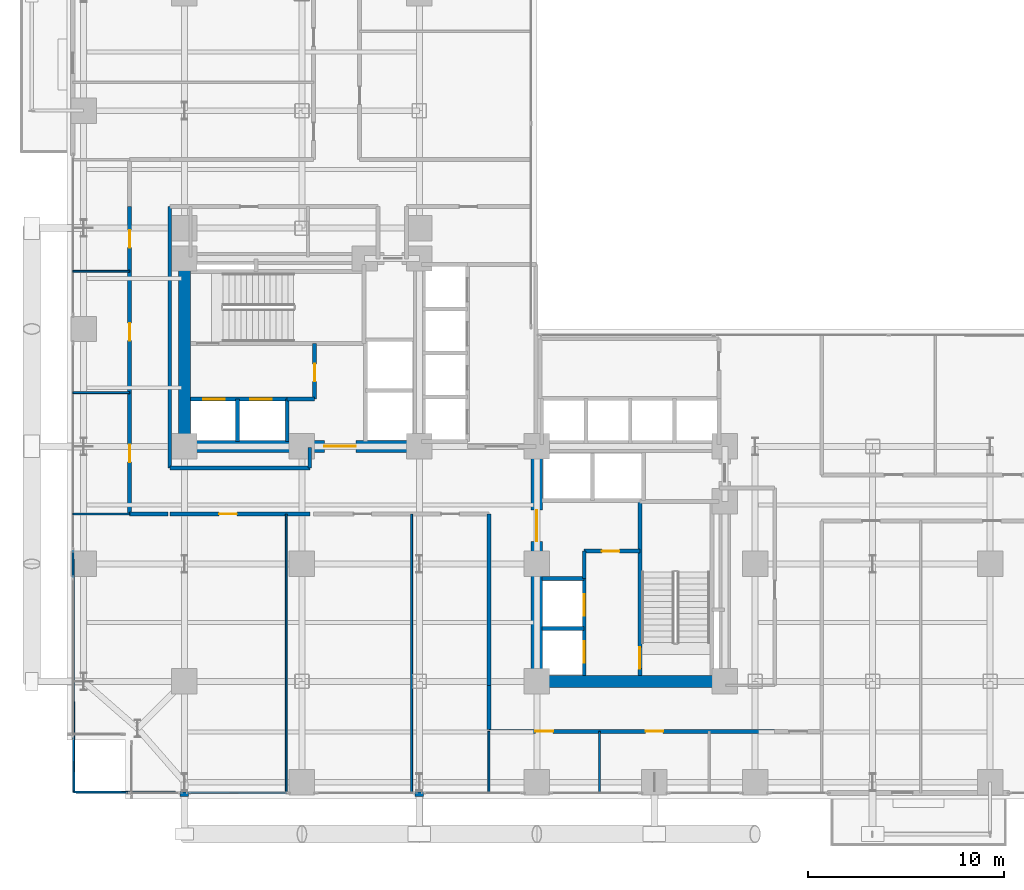
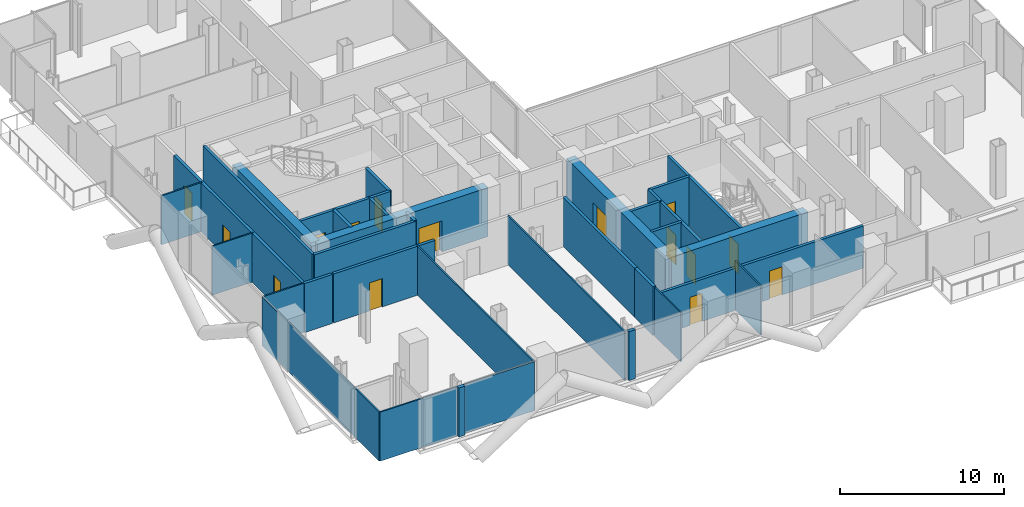
# One storey, part 21 of 27: 36 walls, 15 doors, 15 openings.
"""IFC4 building model written with IfcOpenShell, lengths in metres."""

from ifc_helpers import new_model, si_unit, direction, frame, frame_2d, origin, place, context, subcontext, project, spatial, rectangle, extrude, material, layer, layer_set, type_object, element, fill, save


model = new_model("IFC4")

# Units and contexts
model_context = context("Model", 3, precision=1e-05, world=origin(), true_north=direction((0.0, 1.0)))
body_context = subcontext(model_context, "Body", "Model", "MODEL_VIEW")
ifc_project = project(units=[si_unit("LENGTHUNIT", "METRE"), si_unit("AREAUNIT", "SQUARE_METRE"), si_unit("VOLUMEUNIT", "CUBIC_METRE"), si_unit("PLANEANGLEUNIT", "RADIAN"), si_unit("MASSUNIT", "GRAM", prefix="KILO"), si_unit("THERMODYNAMICTEMPERATUREUNIT", "KELVIN"), si_unit("POWERUNIT", "WATT")], contexts=[model_context])

# Site, building, storey
site_placement = place(None, origin())
site = spatial("IfcSite", under=ifc_project, at=site_placement, CompositionType="ELEMENT")
building_placement = place(site_placement, origin())
building = spatial("IfcBuilding", under=site, at=building_placement, Name="Svarakhadi Broadcast Tower", CompositionType="ELEMENT")
storey_placement = place(building_placement, frame((0.0, 0.0, 87.0)))
storey = spatial("IfcBuildingStorey", under=building, at=storey_placement, Name="L20", CompositionType="ELEMENT", Elevation=87.0)

# Walls
ifc_material_1 = material(Name="Concrete C40/50 (IS 456 M50)", Category="concrete")
ifc_layer_1 = layer(ifc_material_1, 0.239990234375)
ifc_layer_set_1 = layer_set([ifc_layer_1], Name="Concrete C40/50 (IS 456 M50)")
wall_type_1 = type_object("IfcWallType", Name="Wall_Ext_240", PredefinedType="SOLIDWALL", material=ifc_layer_set_1)
for number, where, z_axis, x_axis, name in (
    (1, (18.215087890625, 0.239990234375, 0.0), (0.0, 0.0, 1.0), (-1.0, 0.0, 0.0), "L20 Perimeter Bronze Spandrel Closure Wall 05"),
    (2, (6.215087890625, 0.239990234375, 0.0), (0.0, 0.0, 1.0), (-1.0, 0.0, 0.0), "L20 Perimeter Bronze Spandrel Closure Wall 06"),
):
    element("IfcWall", number, at=place(storey_placement, frame(where, z_axis=z_axis, x_axis=x_axis)), inside=storey, type_object=wall_type_1, Name=name, PredefinedType="SOLIDWALL", context=body_context, shape_type="SweptSolid", body=[
        extrude(rectangle(XDim=0.43017578125, YDim=0.239990234375, at=frame_2d((0.215087890625, 0.0))), origin(), (0.0, 0.0, 1.0), 3.64990234375),
    ])

# Wall, openings, doors
ifc_layer_2 = layer(ifc_material_1, 0.199951171875)
ifc_layer_set_2 = layer_set([ifc_layer_2], Name="Concrete C40/50 (IS 456 M50)")
wall_type_2 = type_object("IfcWallType", Name="Wall_Fire_200", PredefinedType="SOLIDWALL", material=ifc_layer_set_2)
wall_1_placement = place(storey_placement, frame((36.14990234375, 3.449951171875, 0.0), z_axis=(0.0, 0.0, 1.0), x_axis=(-1.0, 0.0, 0.0)))
wall_1 = element("IfcWall", 3, at=wall_1_placement, inside=storey, type_object=wall_type_2, Name="L20 Broadcast Corridor Wall", PredefinedType="SOLIDWALL", context=body_context, shape_type="SweptSolid", body=[
    extrude(rectangle(XDim=14.599853515625, YDim=0.199951171875, at=frame_2d((7.2998046875, 0.0))), origin(), (0.0, 0.0, 1.0), 3.14208984375),
])
opening_1_placement = place(wall_1_placement, frame((11.324951171875, 0.0, 0.0)))
opening_1 = element("IfcOpeningElement", 4, at=opening_1_placement, cuts=wall_1, Name="Opening D-14", PredefinedType="OPENING", context=body_context, shape_type="SweptSolid", body=[
    extrude(rectangle(XDim=0.89990234375, YDim=2.10009765625, at=frame_2d((0.449951171875, 1.050048828125))), frame((0.0, 0.10986328125, 0.0), z_axis=(0.0, -1.0, 0.0), x_axis=(1.0, 0.0, 0.0)), (0.0, 0.0, 1.0), 0.219970703125),
])
opening_2_placement = place(wall_1_placement, frame((5.699951171875, 0.0, 0.0)))
opening_2 = element("IfcOpeningElement", 5, at=opening_2_placement, cuts=wall_1, Name="Opening D-15", PredefinedType="OPENING", context=body_context, shape_type="SweptSolid", body=[
    extrude(rectangle(XDim=0.89990234375, YDim=2.10009765625, at=frame_2d((0.449951171875, 1.050048828125))), frame((0.0, 0.10986328125, 0.0), z_axis=(0.0, -1.0, 0.0), x_axis=(1.0, 0.0, 0.0)), (0.0, 0.0, 1.0), 0.219970703125),
])
ifc_material_2 = material(Name="Solid-Core Teak Veneer Acoustic Timber Leaf", Category="wood")
door_type_1 = type_object("IfcDoorType", Name="Door_Int_D14", OperationType="SINGLE_SWING_LEFT", PredefinedType="DOOR", material=ifc_material_2)
door_1_placement = place(opening_1_placement, origin())
door_1 = element("IfcDoor", 6, at=door_1_placement, inside=storey, type_object=door_type_1, Name="L20 South Harbour Editorial Desk Door", OperationType="SINGLE_SWING_LEFT", OverallHeight=2.10009765625, OverallWidth=0.89990234375, PredefinedType="DOOR", context=body_context, shape_type="SweptSolid", body=[
    extrude(rectangle(XDim=0.89990234375, YDim=2.10009765625, at=frame_2d((0.449951171875, 1.050048828125))), frame((0.0, 0.02490234375, 0.0), z_axis=(0.0, -1.0, 0.0), x_axis=(1.0, 0.0, 0.0)), (0.0, 0.0, 1.0), 0.050048828125),
])
fill(opening_1, door_1)
door_type_2 = type_object("IfcDoorType", Name="Door_Int_D15", OperationType="SINGLE_SWING_RIGHT", PredefinedType="DOOR", material=ifc_material_2)
door_2_placement = place(opening_2_placement, origin())
door_2 = element("IfcDoor", 7, at=door_2_placement, inside=storey, type_object=door_type_2, Name="L20 Media Legal Review Office Door", OperationType="SINGLE_SWING_RIGHT", OverallHeight=2.10009765625, OverallWidth=0.89990234375, PredefinedType="DOOR", context=body_context, shape_type="SweptSolid", body=[
    extrude(rectangle(XDim=0.89990234375, YDim=2.10009765625, at=frame_2d((0.449951171875, 1.050048828125))), frame((0.0, 0.02490234375, 0.0), z_axis=(0.0, -1.0, 0.0), x_axis=(1.0, 0.0, 0.0)), (0.0, 0.0, 1.0), 0.050048828125),
])
fill(opening_2, door_2)

# Walls
wall_2_placement = place(storey_placement, frame((21.550048828125, 3.550048828125, 0.0), z_axis=(0.0, 0.0, 1.0), x_axis=(0.0, 1.0, 0.0)))
element("IfcWall", 8, at=wall_2_placement, inside=storey, type_object=wall_type_2, Name="L20 Broadcast Corridor Wall", PredefinedType="SOLIDWALL", context=body_context, shape_type="SweptSolid", body=[
    extrude(rectangle(XDim=2.25, YDim=0.199951171875, at=frame_2d((1.125, 0.0))), origin(), (0.0, 0.0, 1.0), 3.64990234375),
])
wall_3_placement = place(storey_placement, frame((21.550048828125, 5.800048828125, 0.0), z_axis=(0.0, 0.0, 1.0), x_axis=(0.0, 1.0, 0.0)))
element("IfcWall", 9, at=wall_3_placement, inside=storey, type_object=wall_type_2, Name="L20 Broadcast Corridor Wall", PredefinedType="SOLIDWALL", context=body_context, shape_type="SweptSolid", body=[
    extrude(rectangle(XDim=8.75, YDim=0.199951171875, at=frame_2d((4.375, 0.0))), origin(), (0.0, 0.0, 1.0), 3.64990234375),
])

# Wall, opening, door
wall_4_placement = place(storey_placement, frame((12.39990234375, 14.550048828125, 0.0), z_axis=(0.0, 0.0, 1.0), x_axis=(-1.0, 0.0, 0.0)))
wall_4 = element("IfcWall", 10, at=wall_4_placement, inside=storey, type_object=wall_type_2, Name="L20 Broadcast Corridor Wall", PredefinedType="SOLIDWALL", context=body_context, shape_type="SweptSolid", body=[
    extrude(rectangle(XDim=7.14990234375, YDim=0.199951171875, at=frame_2d((3.574951171875, 0.0))), origin(), (0.0, 0.0, 1.0), 3.64990234375),
])
opening_3_placement = place(wall_4_placement, frame((3.72509765625, 0.0, 0.0)))
opening_3 = element("IfcOpeningElement", 11, at=opening_3_placement, cuts=wall_4, Name="Opening D-14", PredefinedType="OPENING", context=body_context, shape_type="SweptSolid", body=[
    extrude(rectangle(XDim=0.89990234375, YDim=2.10009765625, at=frame_2d((0.449951171875, 1.050048828125))), frame((0.0, 0.10986328125, 0.0), z_axis=(0.0, -1.0, 0.0), x_axis=(1.0, 0.0, 0.0)), (0.0, 0.0, 1.0), 0.219970703125),
])
door_3_placement = place(opening_3_placement, origin())
door_3 = element("IfcDoor", 12, at=door_3_placement, inside=storey, type_object=door_type_1, Name="L20 Network Director Corner Chambers Door", OperationType="SINGLE_SWING_LEFT", OverallHeight=2.10009765625, OverallWidth=0.89990234375, PredefinedType="DOOR", context=body_context, shape_type="SweptSolid", body=[
    extrude(rectangle(XDim=0.89990234375, YDim=2.10009765625, at=frame_2d((0.449951171875, 1.050048828125))), frame((0.0, 0.02490234375, 0.0), z_axis=(0.0, -1.0, 0.0), x_axis=(1.0, 0.0, 0.0)), (0.0, 0.0, 1.0), 0.050048828125),
])
fill(opening_3, door_3)

# Wall
wall_5_placement = place(storey_placement, frame((5.14990234375, 14.550048828125, 0.0), z_axis=(0.0, 0.0, 1.0), x_axis=(-1.0, 0.0, 0.0)))
element("IfcWall", 13, at=wall_5_placement, inside=storey, type_object=wall_type_2, Name="L20 Broadcast Corridor Wall", PredefinedType="SOLIDWALL", context=body_context, shape_type="SweptSolid", body=[
    extrude(rectangle(XDim=1.949951171875, YDim=0.199951171875, at=frame_2d((0.97509765625, 0.0))), origin(), (0.0, 0.0, 1.0), 3.64990234375),
])

# Wall, openings, doors
wall_6_placement = place(storey_placement, frame((3.199951171875, 14.550048828125, 0.0), z_axis=(0.0, 0.0, 1.0), x_axis=(0.0, 1.0, 0.0)))
wall_6 = element("IfcWall", 14, at=wall_6_placement, inside=storey, type_object=wall_type_2, Name="L20 Broadcast Corridor Wall", PredefinedType="SOLIDWALL", context=body_context, shape_type="SweptSolid", body=[
    extrude(rectangle(XDim=15.699951171875, YDim=0.199951171875, at=frame_2d((7.85009765625, 0.0))), origin(), (0.0, 0.0, 1.0), 3.64990234375),
])
opening_4_placement = place(wall_6_placement, frame((2.64990234375, 0.0, 0.0)))
opening_4 = element("IfcOpeningElement", 15, at=opening_4_placement, cuts=wall_6, Name="Opening D-15", PredefinedType="OPENING", context=body_context, shape_type="SweptSolid", body=[
    extrude(rectangle(XDim=0.89990234375, YDim=2.10009765625, at=frame_2d((0.449951171875, 1.050048828125))), frame((0.0, 0.10986328125, 0.0), z_axis=(0.0, -1.0, 0.0), x_axis=(1.0, 0.0, 0.0)), (0.0, 0.0, 1.0), 0.219970703125),
])
opening_5_placement = place(wall_6_placement, frame((8.85009765625, 0.0, 0.0)))
opening_5 = element("IfcOpeningElement", 16, at=opening_5_placement, cuts=wall_6, Name="Opening D-14", PredefinedType="OPENING", context=body_context, shape_type="SweptSolid", body=[
    extrude(rectangle(XDim=0.89990234375, YDim=2.10009765625, at=frame_2d((0.449951171875, 1.050048828125))), frame((0.0, 0.10986328125, 0.0), z_axis=(0.0, -1.0, 0.0), x_axis=(1.0, 0.0, 0.0)), (0.0, 0.0, 1.0), 0.219970703125),
])
opening_6_placement = place(wall_6_placement, frame((13.60009765625, 0.0, 0.0)))
opening_6 = element("IfcOpeningElement", 17, at=opening_6_placement, cuts=wall_6, Name="Opening D-15", PredefinedType="OPENING", context=body_context, shape_type="SweptSolid", body=[
    extrude(rectangle(XDim=0.89990234375, YDim=2.10009765625, at=frame_2d((0.449951171875, 1.050048828125))), frame((0.0, 0.10986328125, 0.0), z_axis=(0.0, -1.0, 0.0), x_axis=(1.0, 0.0, 0.0)), (0.0, 0.0, 1.0), 0.219970703125),
])
door_4_placement = place(opening_5_placement, origin())
door_4 = element("IfcDoor", 18, at=door_4_placement, inside=storey, type_object=door_type_1, Name="L20 Live Translation Studio Door", OperationType="SINGLE_SWING_LEFT", OverallHeight=2.10009765625, OverallWidth=0.89990234375, PredefinedType="DOOR", context=body_context, shape_type="SweptSolid", body=[
    extrude(rectangle(XDim=0.89990234375, YDim=2.10009765625, at=frame_2d((0.449951171875, 1.050048828125))), frame((0.0, 0.02490234375, 0.0), z_axis=(0.0, -1.0, 0.0), x_axis=(1.0, 0.0, 0.0)), (0.0, 0.0, 1.0), 0.050048828125),
])
fill(opening_5, door_4)
door_5_placement = place(opening_4_placement, origin())
door_5 = element("IfcDoor", 19, at=door_5_placement, inside=storey, type_object=door_type_2, Name="L20 Arabian Sea Commentary Booth Door", OperationType="SINGLE_SWING_RIGHT", OverallHeight=2.10009765625, OverallWidth=0.89990234375, PredefinedType="DOOR", context=body_context, shape_type="SweptSolid", body=[
    extrude(rectangle(XDim=0.89990234375, YDim=2.10009765625, at=frame_2d((0.449951171875, 1.050048828125))), frame((0.0, 0.02490234375, 0.0), z_axis=(0.0, -1.0, 0.0), x_axis=(1.0, 0.0, 0.0)), (0.0, 0.0, 1.0), 0.050048828125),
])
fill(opening_4, door_5)
door_6_placement = place(opening_6_placement, origin())
door_6 = element("IfcDoor", 20, at=door_6_placement, inside=storey, type_object=door_type_2, Name="L20 Producer Quiet Lounge Door", OperationType="SINGLE_SWING_RIGHT", OverallHeight=2.10009765625, OverallWidth=0.89990234375, PredefinedType="DOOR", context=body_context, shape_type="SweptSolid", body=[
    extrude(rectangle(XDim=0.89990234375, YDim=2.10009765625, at=frame_2d((0.449951171875, 1.050048828125))), frame((0.0, 0.02490234375, 0.0), z_axis=(0.0, -1.0, 0.0), x_axis=(1.0, 0.0, 0.0)), (0.0, 0.0, 1.0), 0.050048828125),
])
fill(opening_6, door_6)

# Walls
wall_7_placement = place(storey_placement, frame((5.25, 30.25, 0.0), z_axis=(0.0, 0.0, 1.0), x_axis=(0.0, -1.0, 0.0)))
element("IfcWall", 21, at=wall_7_placement, inside=storey, type_object=wall_type_2, Name="L20 Broadcast Corridor Wall", PredefinedType="SOLIDWALL", context=body_context, shape_type="SweptSolid", body=[
    extrude(rectangle(XDim=13.35009765625, YDim=0.199951171875, at=frame_2d((6.675048828125, 0.0))), origin(), (0.0, 0.0, 1.0), 3.64990234375),
])
wall_8_placement = place(storey_placement, frame((5.25, 16.89990234375, 0.0), z_axis=(0.0, 0.0, 1.0), x_axis=(1.0, 0.0, 0.0)))
element("IfcWall", 22, at=wall_8_placement, inside=storey, type_object=wall_type_2, Name="L20 Broadcast Corridor Wall", PredefinedType="SOLIDWALL", context=body_context, shape_type="SweptSolid", body=[
    extrude(rectangle(XDim=7.14990234375, YDim=0.199951171875, at=frame_2d((3.574951171875, 0.0))), origin(), (0.0, 0.0, 1.0), 3.64990234375),
])
wall_9_placement = place(storey_placement, frame((12.39990234375, 16.89990234375, 0.0), z_axis=(0.0, 0.0, 1.0), x_axis=(0.0, 1.0, 0.0)))
element("IfcWall", 23, at=wall_9_placement, inside=storey, type_object=wall_type_2, Name="L20 Broadcast Corridor Wall", PredefinedType="SOLIDWALL", context=body_context, shape_type="SweptSolid", body=[
    extrude(rectangle(XDim=1.050048828125, YDim=0.199951171875, at=frame_2d((0.52490234375, 0.0))), origin(), (0.0, 0.0, 1.0), 3.64990234375),
])
ifc_material_3 = material(Name="Fire-Rated Moisture-Resistant Gypsum Board Partition", Category="gypsum")
ifc_layer_3 = layer(ifc_material_3, 0.10009765625)
ifc_layer_set_3 = layer_set([ifc_layer_3], Name="Fire-Rated Moisture-Resistant Gypsum Board Partition")
wall_type_3 = type_object("IfcWallType", Name="Wall_Part_100", PredefinedType="PARTITIONING", material=ifc_layer_set_3)
wall_10_placement = place(storey_placement, frame((0.35009765625, 0.35009765625, 0.0), z_axis=(0.0, 0.0, 1.0), x_axis=(0.99998929595, -0.004626876487, 0.0)))
element("IfcWall", 24, at=wall_10_placement, inside=storey, type_object=wall_type_3, Name="L20 Network Director Corner Chambers Wall", PredefinedType="PARTITIONING", context=body_context, shape_type="SweptSolid", body=[
    extrude(rectangle(XDim=5.434814453125, YDim=0.10009765625, at=frame_2d((2.71728515625, 0.0))), origin(), (0.0, 0.0, 1.0), 3.64990234375),
])
wall_11_placement = place(storey_placement, frame((6.215087890625, 0.322998046875, 0.0), z_axis=(0.0, 0.0, 1.0), x_axis=(0.999989402769, -0.00460373219, 0.0)))
element("IfcWall", 25, at=wall_11_placement, inside=storey, type_object=wall_type_3, Name="L20 Network Director Corner Chambers Wall", PredefinedType="PARTITIONING", context=body_context, shape_type="SweptSolid", body=[
    extrude(rectangle(XDim=4.98486328125, YDim=0.10009765625, at=frame_2d((2.492431640625, 0.0))), origin(), (0.0, 0.0, 1.0), 3.64990234375),
])
wall_12_placement = place(storey_placement, frame((0.35009765625, 0.35009765625, 0.0), z_axis=(0.0, 0.0, 1.0), x_axis=(-0.003524555588, 0.999993788735, 0.0)))
element("IfcWall", 26, at=wall_12_placement, inside=storey, type_object=wall_type_3, Name="L20 Network Director Corner Chambers Wall", PredefinedType="PARTITIONING", context=body_context, shape_type="SweptSolid", body=[
    extrude(rectangle(XDim=14.199951171875, YDim=0.10009765625, at=frame_2d((7.10009765625, 0.0))), origin(), (0.0, 0.0, 1.0), 3.64990234375),
])
for number, where, z_axis, x_axis, name in (
    (27, (11.199951171875, 0.300048828125, 0.0), (0.0, 0.0, 1.0), (0.0, 1.0, 0.0), "L20 Network Director Corner Chambers Wall"),
    (28, (17.60009765625, 0.300048828125, 0.0), (0.0, 0.0, 1.0), (0.0, 1.0, 0.0), "L20 Standards and Practices Boardroom Wall"),
):
    element("IfcWall", number, at=place(storey_placement, frame(where, z_axis=z_axis, x_axis=x_axis)), inside=storey, type_object=wall_type_3, Name=name, PredefinedType="PARTITIONING", context=body_context, shape_type="SweptSolid", body=[
        extrude(rectangle(XDim=14.25, YDim=0.10009765625, at=frame_2d((7.125, 0.0))), origin(), (0.0, 0.0, 1.0), 3.64990234375),
    ])
for number, where, z_axis, x_axis, name in (
    (29, (0.300048828125, 14.550048828125, 0.0), (0.0, 0.0, 1.0), (1.0, 0.0, 0.0), "L20 Arabian Sea Commentary Booth Wall"),
    (30, (0.300048828125, 20.75, 0.0), (0.0, 0.0, 1.0), (1.0, 0.0, 0.0), "L20 Arabian Sea Commentary Booth Wall"),
    (31, (0.300048828125, 26.949951171875, 0.0), (0.0, 0.0, 1.0), (1.0, 0.0, 0.0), "L20 Live Translation Studio Wall"),
):
    element("IfcWall", number, at=place(storey_placement, frame(where, z_axis=z_axis, x_axis=x_axis)), inside=storey, type_object=wall_type_3, Name=name, PredefinedType="PARTITIONING", context=body_context, shape_type="SweptSolid", body=[
        extrude(rectangle(XDim=2.89990234375, YDim=0.10009765625, at=frame_2d((1.449951171875, 0.0))), origin(), (0.0, 0.0, 1.0), 3.64990234375),
    ])
for number, where, z_axis, x_axis, name in (
    (32, (21.550048828125, 0.300048828125, 0.0), (0.0, 0.0, 1.0), (0.0, 1.0, 0.0), "L20 South Harbour Editorial Desk Wall"),
    (33, (27.199951171875, 0.300048828125, 0.0), (0.0, 0.0, 1.0), (0.0, 1.0, 0.0), "L20 South Harbour Editorial Desk Wall"),
):
    element("IfcWall", number, at=place(storey_placement, frame(where, z_axis=z_axis, x_axis=x_axis)), inside=storey, type_object=wall_type_3, Name=name, PredefinedType="PARTITIONING", context=body_context, shape_type="SweptSolid", body=[
        extrude(rectangle(XDim=3.14990234375, YDim=0.10009765625, at=frame_2d((1.574951171875, 0.0))), origin(), (0.0, 0.0, 1.0), 3.64990234375),
    ])

# Wall, opening, door
ifc_material_4 = material(Name="Concrete C50/60 (IS 456 M60)", Category="concrete")
ifc_layer_4 = layer(ifc_material_4, 0.199951171875)
ifc_layer_set_4 = layer_set([ifc_layer_4], Name="Concrete C50/60 (IS 456 M60)")
wall_type_4 = type_object("IfcWallType", Name="Wall_Shear_200", PredefinedType="SHEAR", material=ifc_layer_set_4)
wall_13_placement = place(storey_placement, frame((29.260009765625, 6.300048828125, 0.0), z_axis=(0.0, 0.0, 1.0), x_axis=(0.0, 1.0, 0.0)))
wall_13 = element("IfcWall", 34, at=wall_13_placement, inside=storey, type_object=wall_type_4, Name="L20 Stair ST-02 West RC Shaft Wall", PredefinedType="SHEAR", context=body_context, shape_type="SweptSolid", body=[
    extrude(rectangle(XDim=8.8798828125, YDim=0.199951171875, at=frame_2d((4.43994140625, 0.0))), origin(), (0.0, 0.0, 1.0), 3.64990234375),
])
opening_7_placement = place(wall_13_placement, frame((0.35009765625, 0.0, 0.0)))
opening_7 = element("IfcOpeningElement", 35, at=opening_7_placement, cuts=wall_13, Name="Opening D-02", PredefinedType="OPENING", context=body_context, shape_type="SweptSolid", body=[
    extrude(rectangle(XDim=1.10009765625, YDim=2.199951171875, at=frame_2d((0.550048828125, 1.10009765625))), frame((0.0, 0.10986328125, 0.0), z_axis=(0.0, -1.0, 0.0), x_axis=(1.0, 0.0, 0.0)), (0.0, 0.0, 1.0), 0.219970703125),
])
ifc_material_5 = material(Name="Galvanised Powder-Coated Fire-Rated Steel Leaf", Category="steel")
door_type_3 = type_object("IfcDoorType", Name="Door_Stair_D02", OperationType="SINGLE_SWING_RIGHT", PredefinedType="DOOR", material=ifc_material_5)
door_7_placement = place(opening_7_placement, origin())
door_7 = element("IfcDoor", 36, at=door_7_placement, inside=storey, type_object=door_type_3, Name="L20 Protected Exit Stair ST-02 Fire Door", OperationType="SINGLE_SWING_RIGHT", OverallHeight=2.199951171875, OverallWidth=1.10009765625, PredefinedType="DOOR", context=body_context, shape_type="SweptSolid", body=[
    extrude(rectangle(XDim=1.10009765625, YDim=2.199951171875, at=frame_2d((0.550048828125, 1.10009765625))), frame((0.0, 0.02490234375, 0.0), z_axis=(0.0, -1.0, 0.0), x_axis=(1.0, 0.0, 0.0)), (0.0, 0.0, 1.0), 0.050048828125),
])
fill(opening_7, door_7)

# Wall, openings, doors
wall_14_placement = place(storey_placement, frame((6.300048828125, 20.419921875, 0.0), z_axis=(0.0, 0.0, 1.0), x_axis=(1.0, 0.0, 0.0)))
wall_14 = element("IfcWall", 37, at=wall_14_placement, inside=storey, type_object=wall_type_4, Name="L20 Firefighting Lift LF-01/02 Shaft Wall", PredefinedType="SHEAR", context=body_context, shape_type="SweptSolid", body=[
    extrude(rectangle(XDim=4.949951171875, YDim=0.199951171875, at=frame_2d((2.47509765625, 0.0))), origin(), (0.0, 0.0, 1.0), 3.64990234375),
])
opening_8_placement = place(wall_14_placement, frame((0.64990234375, 0.0, 0.0)))
opening_8 = element("IfcOpeningElement", 38, at=opening_8_placement, cuts=wall_14, Name="Opening LD-01", PredefinedType="OPENING", context=body_context, shape_type="SweptSolid", body=[
    extrude(rectangle(XDim=1.10009765625, YDim=2.199951171875, at=frame_2d((0.550048828125, 1.10009765625))), frame((0.0, 0.10986328125, 0.0), z_axis=(0.0, -1.0, 0.0), x_axis=(1.0, 0.0, 0.0)), (0.0, 0.0, 1.0), 0.219970703125),
])
opening_9_placement = place(wall_14_placement, frame((3.050048828125, 0.0, 0.0)))
opening_9 = element("IfcOpeningElement", 39, at=opening_9_placement, cuts=wall_14, Name="Opening LD-01", PredefinedType="OPENING", context=body_context, shape_type="SweptSolid", body=[
    extrude(rectangle(XDim=1.10009765625, YDim=2.199951171875, at=frame_2d((0.550048828125, 1.10009765625))), frame((0.0, 0.10986328125, 0.0), z_axis=(0.0, -1.0, 0.0), x_axis=(1.0, 0.0, 0.0)), (0.0, 0.0, 1.0), 0.219970703125),
])
door_type_4 = type_object("IfcDoorType", Name="Door_Lift_LD01", OperationType="SLIDING_TO_LEFT", PredefinedType="DOOR", material=ifc_material_5)
door_8_placement = place(opening_8_placement, origin())
door_8 = element("IfcDoor", 40, at=door_8_placement, inside=storey, type_object=door_type_4, Name="L20 Firefighting Lift LF-01 Landing Door", OperationType="SLIDING_TO_LEFT", OverallHeight=2.199951171875, OverallWidth=1.10009765625, PredefinedType="DOOR", context=body_context, shape_type="SweptSolid", body=[
    extrude(rectangle(XDim=1.10009765625, YDim=2.199951171875, at=frame_2d((0.550048828125, 1.10009765625))), frame((0.0, 0.02490234375, 0.0), z_axis=(0.0, -1.0, 0.0), x_axis=(1.0, 0.0, 0.0)), (0.0, 0.0, 1.0), 0.050048828125),
])
fill(opening_8, door_8)
door_9_placement = place(opening_9_placement, origin())
door_9 = element("IfcDoor", 41, at=door_9_placement, inside=storey, type_object=door_type_4, Name="L20 Firefighting Lift LF-02 Landing Door", OperationType="SLIDING_TO_LEFT", OverallHeight=2.199951171875, OverallWidth=1.10009765625, PredefinedType="DOOR", context=body_context, shape_type="SweptSolid", body=[
    extrude(rectangle(XDim=1.10009765625, YDim=2.199951171875, at=frame_2d((0.550048828125, 1.10009765625))), frame((0.0, 0.02490234375, 0.0), z_axis=(0.0, -1.0, 0.0), x_axis=(1.0, 0.0, 0.0)), (0.0, 0.0, 1.0), 0.050048828125),
])
fill(opening_9, door_9)

# Walls
for number, where, z_axis, x_axis, name in (
    (42, (8.699951171875, 18.25, 0.0), (0.0, 0.0, 1.0), (0.0, 1.0, 0.0), "L20 Firefighting Lift LF-01/02 Divider Wall"),
    (43, (11.25, 18.25, 0.0), (0.0, 0.0, 1.0), (0.0, 1.0, 0.0), "L20 Firefighting Lift LF-02 East Wall"),
):
    element("IfcWall", number, at=place(storey_placement, frame(where, z_axis=z_axis, x_axis=x_axis)), inside=storey, type_object=wall_type_4, Name=name, PredefinedType="SHEAR", context=body_context, shape_type="SweptSolid", body=[
        extrude(rectangle(XDim=2.169921875, YDim=0.199951171875, at=frame_2d((1.0849609375, 0.0))), origin(), (0.0, 0.0, 1.0), 3.64990234375),
    ])
wall_15_placement = place(storey_placement, frame((11.25, 20.419921875, 0.0), z_axis=(0.0, 0.0, 1.0), x_axis=(1.0, 0.0, 0.0)))
element("IfcWall", 44, at=wall_15_placement, inside=storey, type_object=wall_type_4, Name="L20 West Firefighting Lobby South Wall", PredefinedType="SHEAR", context=body_context, shape_type="SweptSolid", body=[
    extrude(rectangle(XDim=1.39990234375, YDim=0.199951171875, at=frame_2d((0.699951171875, 0.0))), origin(), (0.0, 0.0, 1.0), 3.64990234375),
])

# Wall, opening, door
wall_16_placement = place(storey_placement, frame((12.64990234375, 20.419921875, 0.0), z_axis=(0.0, 0.0, 1.0), x_axis=(0.0, 1.0, 0.0)))
wall_16 = element("IfcWall", 45, at=wall_16_placement, inside=storey, type_object=wall_type_4, Name="L20 West Firefighting Lobby East Wall", PredefinedType="SHEAR", context=body_context, shape_type="SweptSolid", body=[
    extrude(rectangle(XDim=2.840087890625, YDim=0.199951171875, at=frame_2d((1.419921875, 0.0))), origin(), (0.0, 0.0, 1.0), 3.64990234375),
])
opening_10_placement = place(wall_16_placement, frame((0.89990234375, 0.0, 0.0)))
opening_10 = element("IfcOpeningElement", 46, at=opening_10_placement, cuts=wall_16, Name="Opening D-03", PredefinedType="OPENING", context=body_context, shape_type="SweptSolid", body=[
    extrude(rectangle(XDim=0.89990234375, YDim=2.14990234375, at=frame_2d((0.449951171875, 1.074951171875))), frame((0.0, 0.10986328125, 0.0), z_axis=(0.0, -1.0, 0.0), x_axis=(1.0, 0.0, 0.0)), (0.0, 0.0, 1.0), 0.219970703125),
])
door_type_5 = type_object("IfcDoorType", Name="Door_Fire_D03", OperationType="SINGLE_SWING_LEFT", PredefinedType="DOOR", material=ifc_material_5)
door_10_placement = place(opening_10_placement, origin())
door_10 = element("IfcDoor", 47, at=door_10_placement, inside=storey, type_object=door_type_5, Name="L20 West Firefighting Lobby Fire Door", OperationType="SINGLE_SWING_LEFT", OverallHeight=2.14990234375, OverallWidth=0.89990234375, PredefinedType="DOOR", context=body_context, shape_type="SweptSolid", body=[
    extrude(rectangle(XDim=0.89990234375, YDim=2.14990234375, at=frame_2d((0.449951171875, 1.074951171875))), frame((0.0, 0.02490234375, 0.0), z_axis=(0.0, -1.0, 0.0), x_axis=(1.0, 0.0, 0.0)), (0.0, 0.0, 1.0), 0.050048828125),
])
fill(opening_10, door_10)

# Wall, openings, doors
wall_17_placement = place(storey_placement, frame((26.419921875, 6.300048828125, 0.0), z_axis=(0.0, 0.0, 1.0), x_axis=(0.0, 1.0, 0.0)))
wall_17 = element("IfcWall", 48, at=wall_17_placement, inside=storey, type_object=wall_type_4, Name="L20 Firefighting Lift LF-03/04 Shaft Wall", PredefinedType="SHEAR", context=body_context, shape_type="SweptSolid", body=[
    extrude(rectangle(XDim=4.949951171875, YDim=0.199951171875, at=frame_2d((2.47509765625, 0.0))), origin(), (0.0, 0.0, 1.0), 3.64990234375),
])
opening_11_placement = place(wall_17_placement, frame((0.64990234375, 0.0, 0.0)))
opening_11 = element("IfcOpeningElement", 49, at=opening_11_placement, cuts=wall_17, Name="Opening LD-01", PredefinedType="OPENING", context=body_context, shape_type="SweptSolid", body=[
    extrude(rectangle(XDim=1.10009765625, YDim=2.199951171875, at=frame_2d((0.550048828125, 1.10009765625))), frame((0.0, 0.10986328125, 0.0), z_axis=(0.0, -1.0, 0.0), x_axis=(1.0, 0.0, 0.0)), (0.0, 0.0, 1.0), 0.219970703125),
])
opening_12_placement = place(wall_17_placement, frame((3.050048828125, 0.0, 0.0)))
opening_12 = element("IfcOpeningElement", 50, at=opening_12_placement, cuts=wall_17, Name="Opening LD-01", PredefinedType="OPENING", context=body_context, shape_type="SweptSolid", body=[
    extrude(rectangle(XDim=1.10009765625, YDim=2.199951171875, at=frame_2d((0.550048828125, 1.10009765625))), frame((0.0, 0.10986328125, 0.0), z_axis=(0.0, -1.0, 0.0), x_axis=(1.0, 0.0, 0.0)), (0.0, 0.0, 1.0), 0.219970703125),
])
door_11_placement = place(opening_11_placement, origin())
door_11 = element("IfcDoor", 51, at=door_11_placement, inside=storey, type_object=door_type_4, Name="L20 Firefighting Lift LF-03 Landing Door", OperationType="SLIDING_TO_LEFT", OverallHeight=2.199951171875, OverallWidth=1.10009765625, PredefinedType="DOOR", context=body_context, shape_type="SweptSolid", body=[
    extrude(rectangle(XDim=1.10009765625, YDim=2.199951171875, at=frame_2d((0.550048828125, 1.10009765625))), frame((0.0, 0.02490234375, 0.0), z_axis=(0.0, -1.0, 0.0), x_axis=(1.0, 0.0, 0.0)), (0.0, 0.0, 1.0), 0.050048828125),
])
fill(opening_11, door_11)
door_12_placement = place(opening_12_placement, origin())
door_12 = element("IfcDoor", 52, at=door_12_placement, inside=storey, type_object=door_type_4, Name="L20 Firefighting Lift LF-04 Landing Door", OperationType="SLIDING_TO_LEFT", OverallHeight=2.199951171875, OverallWidth=1.10009765625, PredefinedType="DOOR", context=body_context, shape_type="SweptSolid", body=[
    extrude(rectangle(XDim=1.10009765625, YDim=2.199951171875, at=frame_2d((0.550048828125, 1.10009765625))), frame((0.0, 0.02490234375, 0.0), z_axis=(0.0, -1.0, 0.0), x_axis=(1.0, 0.0, 0.0)), (0.0, 0.0, 1.0), 0.050048828125),
])
fill(opening_12, door_12)

# Walls
for number, where, z_axis, x_axis, name in (
    (53, (24.25, 8.699951171875, 0.0), (0.0, 0.0, 1.0), (1.0, 0.0, 0.0), "L20 Firefighting Lift LF-03/04 Divider Wall"),
    (54, (24.25, 11.25, 0.0), (0.0, 0.0, 1.0), (1.0, 0.0, 0.0), "L20 Firefighting Lift LF-04 North Wall"),
):
    element("IfcWall", number, at=place(storey_placement, frame(where, z_axis=z_axis, x_axis=x_axis)), inside=storey, type_object=wall_type_4, Name=name, PredefinedType="SHEAR", context=body_context, shape_type="SweptSolid", body=[
        extrude(rectangle(XDim=2.169921875, YDim=0.199951171875, at=frame_2d((1.0849609375, 0.0))), origin(), (0.0, 0.0, 1.0), 3.64990234375),
    ])
wall_18_placement = place(storey_placement, frame((26.419921875, 11.25, 0.0), z_axis=(0.0, 0.0, 1.0), x_axis=(0.0, 1.0, 0.0)))
element("IfcWall", 55, at=wall_18_placement, inside=storey, type_object=wall_type_4, Name="L20 East Firefighting Lobby West Wall", PredefinedType="SHEAR", context=body_context, shape_type="SweptSolid", body=[
    extrude(rectangle(XDim=1.39990234375, YDim=0.199951171875, at=frame_2d((0.699951171875, 0.0))), origin(), (0.0, 0.0, 1.0), 3.64990234375),
])

# Wall, opening, door
wall_19_placement = place(storey_placement, frame((26.419921875, 12.64990234375, 0.0), z_axis=(0.0, 0.0, 1.0), x_axis=(1.0, 0.0, 0.0)))
wall_19 = element("IfcWall", 56, at=wall_19_placement, inside=storey, type_object=wall_type_4, Name="L20 East Firefighting Lobby North Wall", PredefinedType="SHEAR", context=body_context, shape_type="SweptSolid", body=[
    extrude(rectangle(XDim=2.840087890625, YDim=0.199951171875, at=frame_2d((1.419921875, 0.0))), origin(), (0.0, 0.0, 1.0), 3.64990234375),
])
opening_13_placement = place(wall_19_placement, frame((0.89990234375, 0.0, 0.0)))
opening_13 = element("IfcOpeningElement", 57, at=opening_13_placement, cuts=wall_19, Name="Opening D-04", PredefinedType="OPENING", context=body_context, shape_type="SweptSolid", body=[
    extrude(rectangle(XDim=0.89990234375, YDim=2.14990234375, at=frame_2d((0.449951171875, 1.074951171875))), frame((0.0, 0.10986328125, 0.0), z_axis=(0.0, -1.0, 0.0), x_axis=(1.0, 0.0, 0.0)), (0.0, 0.0, 1.0), 0.219970703125),
])
door_type_6 = type_object("IfcDoorType", Name="Door_Fire_D04", OperationType="SINGLE_SWING_RIGHT", PredefinedType="DOOR", material=ifc_material_5)
door_13_placement = place(opening_13_placement, origin())
door_13 = element("IfcDoor", 58, at=door_13_placement, inside=storey, type_object=door_type_6, Name="L20 East Firefighting Lobby Fire Door", OperationType="SINGLE_SWING_RIGHT", OverallHeight=2.14990234375, OverallWidth=0.89990234375, PredefinedType="DOOR", context=body_context, shape_type="SweptSolid", body=[
    extrude(rectangle(XDim=0.89990234375, YDim=2.14990234375, at=frame_2d((0.449951171875, 1.074951171875))), frame((0.0, 0.02490234375, 0.0), z_axis=(0.0, -1.0, 0.0), x_axis=(1.0, 0.0, 0.0)), (0.0, 0.0, 1.0), 0.050048828125),
])
fill(opening_13, door_13)

ifc_material_6 = material(Name="Concrete C60/75 (IS 456 M70)", Category="concrete")
ifc_layer_5 = layer(ifc_material_6, 0.60009765625)
ifc_layer_set_5 = layer_set([ifc_layer_5], Name="Concrete C60/75 (IS 456 M70)")
wall_type_5 = type_object("IfcWallType", Name="Wall_Shear_600", PredefinedType="SHEAR", material=ifc_layer_set_5)
wall_20_placement = place(storey_placement, frame((6.0, 18.0, 0.0), z_axis=(0.0, 0.0, 1.0), x_axis=(1.0, 0.0, 0.0)))
wall_20 = element("IfcWall", 59, at=wall_20_placement, inside=storey, type_object=wall_type_5, Name="L20 West Core South Shear Wall", PredefinedType="SHEAR", context=body_context, shape_type="SweptSolid", body=[
    extrude(rectangle(XDim=12.0, YDim=0.60009765625, at=frame_2d((6.0, 0.0))), origin(), (0.0, 0.0, 1.0), 3.64990234375),
])
opening_14_placement = place(wall_20_placement, frame((7.14990234375, 0.0, 0.0)))
opening_14 = element("IfcOpeningElement", 60, at=opening_14_placement, cuts=wall_20, Name="Opening D-05", PredefinedType="OPENING", context=body_context, shape_type="SweptSolid", body=[
    extrude(rectangle(XDim=1.60009765625, YDim=2.300048828125, at=frame_2d((0.800048828125, 1.14990234375))), frame((0.0, 0.31005859375, 0.0), z_axis=(0.0, -1.0, 0.0), x_axis=(1.0, 0.0, 0.0)), (0.0, 0.0, 1.0), 0.6201171875),
])
ifc_material_7 = material(Name="Anodised Bronze Aluminium AA 6063-T6", Category="aluminium")
door_type_7 = type_object("IfcDoorType", Name="Door_Lobby_D05", OperationType="DOUBLE_DOOR_SLIDING", PredefinedType="DOOR", material=ifc_material_7)
door_14_placement = place(opening_14_placement, origin())
door_14 = element("IfcDoor", 61, at=door_14_placement, inside=storey, type_object=door_type_7, Name="L20 West Core Passenger Lift Lobby Entrance Door", OperationType="DOUBLE_DOOR_SLIDING", OverallHeight=2.300048828125, OverallWidth=1.60009765625, PredefinedType="DOOR", context=body_context, shape_type="SweptSolid", body=[
    extrude(rectangle(XDim=1.60009765625, YDim=2.300048828125, at=frame_2d((0.800048828125, 1.14990234375))), frame((0.0, 0.02490234375, 0.0), z_axis=(0.0, -1.0, 0.0), x_axis=(1.0, 0.0, 0.0)), (0.0, 0.0, 1.0), 0.050048828125),
])
fill(opening_14, door_14)

# Walls
for number, where, z_axis, x_axis, name in (
    (62, (6.0, 18.0, 0.0), (0.0, 0.0, 1.0), (0.0, 1.0, 0.0), "L20 West Core West Shear Wall"),
    (63, (24.0, 6.0, 0.0), (0.0, 0.0, 1.0), (1.0, 0.0, 0.0), "L20 East Core South Shear Wall"),
):
    element("IfcWall", number, at=place(storey_placement, frame(where, z_axis=z_axis, x_axis=x_axis)), inside=storey, type_object=wall_type_5, Name=name, PredefinedType="SHEAR", context=body_context, shape_type="SweptSolid", body=[
        extrude(rectangle(XDim=9.60009765625, YDim=0.60009765625, at=frame_2d((4.800048828125, 0.0))), origin(), (0.0, 0.0, 1.0), 3.64990234375),
    ])

# Wall, opening, door
wall_21_placement = place(storey_placement, frame((24.0, 6.0, 0.0), z_axis=(0.0, 0.0, 1.0), x_axis=(0.0, 1.0, 0.0)))
wall_21 = element("IfcWall", 64, at=wall_21_placement, inside=storey, type_object=wall_type_5, Name="L20 East Core West Shear Wall", PredefinedType="SHEAR", context=body_context, shape_type="SweptSolid", body=[
    extrude(rectangle(XDim=12.0, YDim=0.60009765625, at=frame_2d((6.0, 0.0))), origin(), (0.0, 0.0, 1.0), 3.64990234375),
])
opening_15_placement = place(wall_21_placement, frame((7.14990234375, 0.0, 0.0)))
opening_15 = element("IfcOpeningElement", 65, at=opening_15_placement, cuts=wall_21, Name="Opening D-05", PredefinedType="OPENING", context=body_context, shape_type="SweptSolid", body=[
    extrude(rectangle(XDim=1.60009765625, YDim=2.300048828125, at=frame_2d((0.800048828125, 1.14990234375))), frame((0.0, 0.31005859375, 0.0), z_axis=(0.0, -1.0, 0.0), x_axis=(1.0, 0.0, 0.0)), (0.0, 0.0, 1.0), 0.6201171875),
])
door_15_placement = place(opening_15_placement, origin())
door_15 = element("IfcDoor", 66, at=door_15_placement, inside=storey, type_object=door_type_7, Name="L20 East Core Passenger Lift Lobby Entrance Door", OperationType="DOUBLE_DOOR_SLIDING", OverallHeight=2.300048828125, OverallWidth=1.60009765625, PredefinedType="DOOR", context=body_context, shape_type="SweptSolid", body=[
    extrude(rectangle(XDim=1.60009765625, YDim=2.300048828125, at=frame_2d((0.800048828125, 1.14990234375))), frame((0.0, 0.02490234375, 0.0), z_axis=(0.0, -1.0, 0.0), x_axis=(1.0, 0.0, 0.0)), (0.0, 0.0, 1.0), 0.050048828125),
])
fill(opening_15, door_15)

save(model, "model.ifc")
